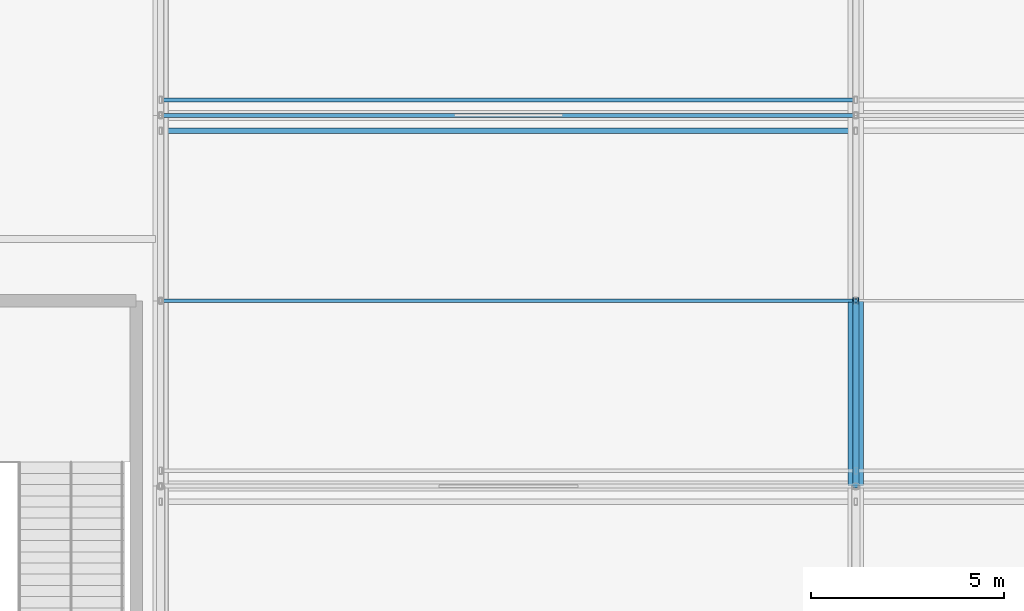
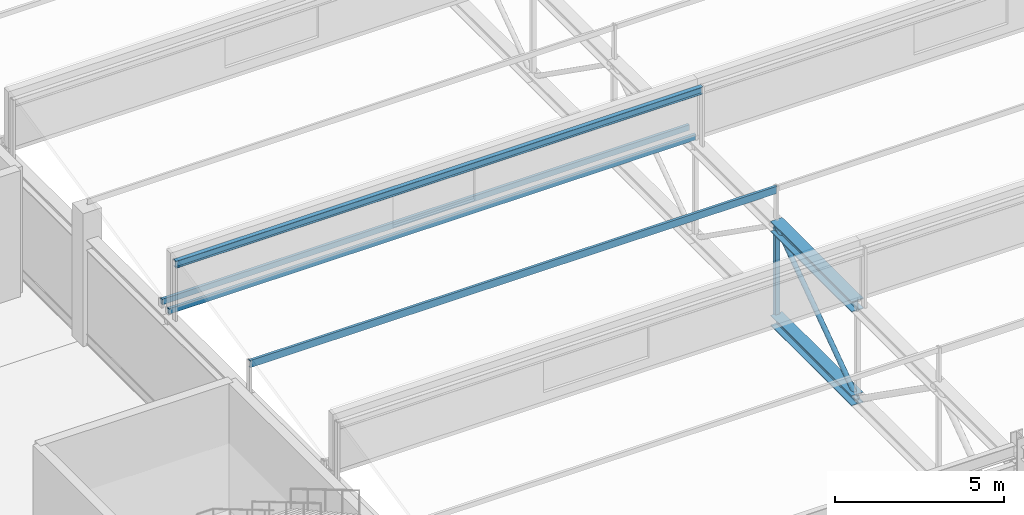
# One storey, part 18 of 136: 6 members, 2 beams.
"""IFC4 building model written with IfcOpenShell, lengths in metres."""

import ifcopenshell
import ifcopenshell.guid

model = None  # the IFC model being written
_history = None  # IfcOwnerHistory: only IFC2X3 demands one
_inside = {}  # id of a spatial element -> (the spatial element, [elements in it])
_under = {}  # id of a project, library or spatial element -> (it, [spatial elements below it])
_declared = {}  # id of a project -> (the project, [libraries it declares])
_typed = {}  # id of a type object -> (the type object, [elements of that type])
_made_of = {}  # id of a material, layer set ... -> (it, [elements and type objects made of it])


def new_model(schema):
    """Start an empty IFC model of exactly this schema.

    Asked for "IFC4X3", IfcOpenShell would pick the latest addendum, in which some entities
    have other attributes; the version numbers below select the first issue.
    IFC2X3 requires an IfcOwnerHistory on every rooted entity: one is made here for all.
    """
    global model, _history
    if schema == "IFC4X3":
        model = ifcopenshell.file(schema_version=(4, 3, 0, 0))
    else:
        model = ifcopenshell.file(schema=schema)
    _inside.clear()
    _under.clear()
    _declared.clear()
    _typed.clear()
    _made_of.clear()
    _history = None
    if model.schema == "IFC2X3":
        org = make("IfcOrganization", Name="unknown")
        user = make(
            "IfcPersonAndOrganization",
            ThePerson=make("IfcPerson", FamilyName="unknown"),
            TheOrganization=org,
        )
        app = make(
            "IfcApplication",
            ApplicationDeveloper=org,
            Version="unknown",
            ApplicationFullName="unknown",
            ApplicationIdentifier="unknown",
        )
        _history = make(
            "IfcOwnerHistory",
            OwningUser=user,
            OwningApplication=app,
            ChangeAction="ADDED",
            CreationDate=0,
        )
    return model


def make(cls, **values):
    """One entity of the class cls with the attributes given. An attribute that is None is left unset."""
    return model.create_entity(
        cls, **{name: value for name, value in values.items() if value is not None}
    )


def rooted(cls, **values):
    """An entity with a GlobalId (a new one), such as an element, a storey or a relation."""
    return make(cls, GlobalId=ifcopenshell.guid.new(), OwnerHistory=_history, **values)


def si_unit(unit_type, name, prefix=None):
    """IfcSIUnit, for example si_unit("LENGTHUNIT", "METRE", prefix="MILLI")."""
    return make("IfcSIUnit", UnitType=unit_type, Prefix=prefix, Name=name)


def assignment(units):
    """IfcUnitAssignment: the units of a project."""
    return None if units is None else make("IfcUnitAssignment", Units=units)


def point(xyz):
    """IfcCartesianPoint."""
    return None if xyz is None else make("IfcCartesianPoint", Coordinates=xyz)


def direction(xyz):
    """IfcDirection."""
    return None if xyz is None else make("IfcDirection", DirectionRatios=xyz)


def frame(location, z_axis=None, x_axis=None):
    """IfcAxis2Placement3D, a coordinate frame: its origin and axes. An axis left out is left unset."""
    return make(
        "IfcAxis2Placement3D",
        Location=point(location),
        Axis=direction(z_axis),
        RefDirection=direction(x_axis),
    )


def frame_2d(location, x_axis=None):
    """IfcAxis2Placement2D, a coordinate frame in the plane: its origin and x axis."""
    return make(
        "IfcAxis2Placement2D", Location=point(location), RefDirection=direction(x_axis)
    )


def origin():
    """The frame at (0, 0, 0) with its axes left unset."""
    return frame((0.0, 0.0, 0.0))


def origin_2d():
    """The frame at (0, 0) in the plane with its x axis left unset."""
    return frame_2d((0.0, 0.0))


def place(relative_to, where):
    """IfcLocalPlacement: puts the frame where relative to a parent placement (None: the world)."""
    return make(
        "IfcLocalPlacement", PlacementRelTo=relative_to, RelativePlacement=where
    )


def context(
    kind, dimensions, precision=None, world=None, true_north=None, identifier=None
):
    """IfcGeometricRepresentationContext, for example the 3D "Model" context."""
    return make(
        "IfcGeometricRepresentationContext",
        ContextIdentifier=identifier,
        ContextType=kind,
        CoordinateSpaceDimension=dimensions,
        Precision=precision,
        WorldCoordinateSystem=world,
        TrueNorth=true_north,
    )


def subcontext(parent, identifier, kind, view, scale=None):
    """IfcGeometricRepresentationSubContext, for example "Body" below "Model"."""
    return make(
        "IfcGeometricRepresentationSubContext",
        ContextIdentifier=identifier,
        ContextType=kind,
        ParentContext=parent,
        TargetScale=scale,
        TargetView=view,
    )


def project(units=None, contexts=None):
    """IfcProject with its units and contexts."""
    return rooted(
        "IfcProject",
        Name="project",
        RepresentationContexts=contexts,
        UnitsInContext=assignment(units),
    )


def spatial(cls, under=None, at=None, **own):
    """A site, building, storey or space (cls), placed at a placement, below another one or the project."""
    s = rooted(cls, ObjectPlacement=at, **own)
    if under is not None:
        _under.setdefault(under.id(), (under, []))[1].append(s)
    return s


def profile(cls, at=None, kind="AREA", **sizes):
    """A parametric profile (cls). Its sizes go by their IFC names, for example OverallWidth=200.0."""
    return make(cls, ProfileType=kind, Position=at, **sizes)


def hollow_rectangle(**sizes):
    """IfcRectangleHollowProfileDef."""
    return profile("IfcRectangleHollowProfileDef", **sizes)


def hollow_circle(**sizes):
    """IfcCircleHollowProfileDef."""
    return profile("IfcCircleHollowProfileDef", **sizes)


def i_section(**sizes):
    """IfcIShapeProfileDef."""
    return profile("IfcIShapeProfileDef", **sizes)


def u_section(**sizes):
    """IfcUShapeProfileDef."""
    return profile("IfcUShapeProfileDef", **sizes)


def extrude(swept, where, along, depth):
    """IfcExtrudedAreaSolid: the profile swept, set in the frame where, extruded along a direction by depth."""
    return make(
        "IfcExtrudedAreaSolid",
        SweptArea=swept,
        Position=where,
        ExtrudedDirection=direction(along),
        Depth=depth,
    )


def shape(context_of_items, identifier, shape_type, items):
    """IfcShapeRepresentation: the items that make up one representation, for example the "Body"."""
    return make(
        "IfcShapeRepresentation",
        ContextOfItems=context_of_items,
        RepresentationIdentifier=identifier,
        RepresentationType=shape_type,
        Items=items,
    )


def material(Name=None, Category=None):
    """IfcMaterial."""
    return make("IfcMaterial", Name=Name, Category=Category)


def material_profile(
    of_material, cross_section, Name=None, Category=None, Priority=None
):
    """IfcMaterialProfile: a cross section and its material."""
    return make(
        "IfcMaterialProfile",
        Name=Name,
        Material=of_material,
        Profile=cross_section,
        Priority=Priority,
        Category=Category,
    )


def profile_set(profiles, Name=None, composite=None):
    """IfcMaterialProfileSet."""
    return make(
        "IfcMaterialProfileSet",
        Name=Name,
        MaterialProfiles=profiles,
        CompositeProfile=composite,
    )


def made_of(thing, what):
    """Note that an element or type object is made of a material, layer set ...; save() writes the relation."""
    if what is not None:
        _made_of.setdefault(what.id(), (what, []))[1].append(thing)
    return thing


def type_object(cls, material=None, **own):
    """A type object (cls), such as IfcWallType, which elements share."""
    return made_of(rooted(cls, **own), material)


def element(
    cls,
    number,
    at=None,
    inside=None,
    cuts=None,
    type_object=None,
    material=None,
    context=None,
    identifier="Body",
    shape_type=None,
    held_by="IfcProductDefinitionShape",
    body=None,
    shapes=None,
    **own,
):
    """One element of the class cls, such as IfcWall. Its Tag is "e" and its number.

    at: its placement. inside: the storey or other place that contains it. cuts: it is an
    opening in that element (IfcRelVoidsElement). A single representation is given by context,
    identifier, shape_type and body (its items); several are given by shapes. held_by: the class
    of the entity that holds the representations. save() writes the other relations.
    """
    e = rooted(cls, Tag="e%d" % number, ObjectPlacement=at, **own)
    if body is not None:
        shapes = [shape(context, identifier, shape_type, body)]
    if shapes is not None:
        e.Representation = make(held_by, Representations=shapes)
    if inside is not None:
        _inside.setdefault(inside.id(), (inside, []))[1].append(e)
    if cuts is not None:
        rooted(
            "IfcRelVoidsElement", RelatingBuildingElement=cuts, RelatedOpeningElement=e
        )
    if type_object is not None:
        _typed.setdefault(type_object.id(), (type_object, []))[1].append(e)
    return made_of(e, material)


def aggregate(whole, parts):
    """IfcRelAggregates: a whole, such as a stair, and the parts it consists of."""
    return rooted("IfcRelAggregates", RelatingObject=whole, RelatedObjects=parts)


def save(model, path):
    """Write the relations noted so far, then the file.

    IfcRelAggregates (storeys below a building ...), IfcRelContainedInSpatialStructure (elements
    in a storey), IfcRelDefinesByType, IfcRelAssociatesMaterial and IfcRelDeclares: one each for
    every whole, place, type object, material and project.
    """
    for whole, parts in _under.values():
        aggregate(whole, parts)
    for where, things in _inside.values():
        rooted(
            "IfcRelContainedInSpatialStructure",
            RelatedElements=things,
            RelatingStructure=where,
        )
    for kind, things in _typed.values():
        rooted("IfcRelDefinesByType", RelatedObjects=things, RelatingType=kind)
    for what, things in _made_of.values():
        rooted("IfcRelAssociatesMaterial", RelatedObjects=things, RelatingMaterial=what)
    for by, libraries in _declared.values():
        rooted("IfcRelDeclares", RelatingContext=by, RelatedDefinitions=libraries)
    model.write(path)


model = new_model("IFC4")

# Units and contexts
model_context = context("Model", 3, precision=1e-05, world=origin(), true_north=direction((0.0, 1.0)))
body_context = subcontext(model_context, "Body", "Model", "MODEL_VIEW")
ifc_project = project(units=[si_unit("LENGTHUNIT", "METRE"), si_unit("AREAUNIT", "SQUARE_METRE"), si_unit("VOLUMEUNIT", "CUBIC_METRE"), si_unit("PLANEANGLEUNIT", "RADIAN"), si_unit("MASSUNIT", "GRAM", prefix="KILO")], contexts=[model_context])

# Site, building, storey
site_placement = place(None, origin())
site = spatial("IfcSite", under=ifc_project, at=site_placement, CompositionType="ELEMENT")
building_placement = place(site_placement, origin())
building = spatial("IfcBuilding", under=site, at=building_placement, Name="Kisiwana Market Hall", CompositionType="ELEMENT")
storey_placement = place(building_placement, frame((0.0, 0.0, 16.800048828125)))
storey = spatial("IfcBuildingStorey", under=building, at=storey_placement, Name="L03", CompositionType="ELEMENT", Elevation=16.800048828125)

# Beams
ifc_material_1 = material(Name="Steel S355", Category="steel")
ifc_material_profile_1 = material_profile(ifc_material_1, i_section(OverallWidth=0.394775390625, OverallDepth=0.381103515625, WebThickness=0.018310546875, FlangeThickness=0.0302734375, at=origin_2d()), Name="UC 356x406x235")
ifc_profile_set_1 = profile_set([ifc_material_profile_1], Name="Steel S355")
beam_type_1 = type_object("IfcBeamType", Name="BM-TRUSS-BOT", PredefinedType="USERDEFINED", material=ifc_profile_set_1)
beam_1_placement = place(storey_placement, frame((63.0, 45.60009765625, 0.22998046875), z_axis=(0.0, 1.0, 0.0), x_axis=(-1.0, 0.0, 0.0)))
element("IfcBeam", 1, at=beam_1_placement, inside=storey, type_object=beam_type_1, Name="TR-02 BC panel 3 B-1200", ObjectType="ROOF TRUSS", PredefinedType="USERDEFINED", context=body_context, shape_type="SweptSolid", body=[
    extrude(i_section(OverallWidth=0.394775390625, OverallDepth=0.381103515625, WebThickness=0.018310546875, FlangeThickness=0.0302734375, at=origin_2d()), origin(), (0.0, 0.0, 1.0), 4.7998046875),
])
ifc_material_2 = material(Name="Steel S355", Category="steel")
ifc_material_profile_2 = material_profile(ifc_material_2, i_section(OverallWidth=0.39892578125, OverallDepth=0.3935546875, WebThickness=0.022705078125, FlangeThickness=0.03662109375, at=origin_2d()), Name="UC 356x406x287")
ifc_profile_set_2 = profile_set([ifc_material_profile_2], Name="Steel S355")
beam_type_2 = type_object("IfcBeamType", Name="BM-TRUSS-TOP", PredefinedType="USERDEFINED", material=ifc_profile_set_2)
beam_2_placement = place(storey_placement, frame((63.0, 45.60009765625, 3.619873046875), z_axis=(0.0, 1.0, 0.0), x_axis=(-1.0, 0.0, 0.0)))
element("IfcBeam", 2, at=beam_2_placement, inside=storey, type_object=beam_type_2, Name="TR-02 TC panel 3 B-1210", ObjectType="ROOF TRUSS", PredefinedType="USERDEFINED", context=body_context, shape_type="SweptSolid", body=[
    extrude(i_section(OverallWidth=0.39892578125, OverallDepth=0.3935546875, WebThickness=0.022705078125, FlangeThickness=0.03662109375, at=origin_2d()), origin(), (0.0, 0.0, 1.0), 4.7998046875),
])

# Members
ifc_material_3 = material(Name="Steel S355", Category="steel")
ifc_material_profile_3 = material_profile(ifc_material_3, u_section(Depth=0.260009765625, FlangeWidth=0.090087890625, WebThickness=0.008056640625, FlangeThickness=0.013916015625, at=origin_2d()), Name="PFC 260x90x35")
ifc_profile_set_3 = profile_set([ifc_material_profile_3], Name="Steel S355")
member_type_1 = type_object("IfcMemberType", Name="MB-PURL-PFC260", PredefinedType="PURLIN", material=ifc_profile_set_3)
member_1_placement = place(storey_placement, frame((45.0, 50.39990234375, 4.90625), z_axis=(1.0, 0.0, 0.0), x_axis=(0.0, 1.0, 0.0)))
element("IfcMember", 3, at=member_1_placement, inside=storey, type_object=member_type_1, Name="Sawtooth mid-slope roof purlin 24 M-0098", PredefinedType="PURLIN", context=body_context, shape_type="SweptSolid", body=[
    extrude(u_section(Depth=0.260009765625, FlangeWidth=0.090087890625, WebThickness=0.008056640625, FlangeThickness=0.013916015625, at=origin_2d()), origin(), (0.0, 0.0, 1.0), 18.0),
])
ifc_material_4 = material(Name="Steel S355", Category="steel")
ifc_material_profile_4 = material_profile(ifc_material_4, hollow_rectangle(XDim=0.10009765625, YDim=0.199951171875, WallThickness=0.008056640625, at=origin_2d()), Name="RHS 200x100x8.0")
ifc_profile_set_4 = profile_set([ifc_material_profile_4], Name="Steel S355")
member_type_2 = type_object("IfcMemberType", Name="MB-ROOF-PURLIN1", PredefinedType="PURLIN", material=ifc_profile_set_4)
for number, where, z_axis, x_axis, name in (
    (4, (45.0, 55.199951171875, 3.90087890625), (1.0, 0.0, 0.0), (0.0, 1.0, 0.0), "Sawtooth roof purlin 224 M-0149"),
    (5, (45.0, 55.60009765625, 4.0009765625), (1.0, 0.0, 0.0), (0.0, 1.0, 0.0), "Sawtooth roof purlin 267 M-0168"),
):
    element("IfcMember", number, at=place(storey_placement, frame(where, z_axis=z_axis, x_axis=x_axis)), inside=storey, type_object=member_type_2, Name=name, PredefinedType="PURLIN", context=body_context, shape_type="SweptSolid", body=[
        extrude(hollow_rectangle(XDim=0.10009765625, YDim=0.199951171875, WallThickness=0.008056640625, at=origin_2d()), origin(), (0.0, 0.0, 1.0), 18.0),
    ])
ifc_material_5 = material(Name="Steel S355", Category="steel")
ifc_material_profile_5 = material_profile(ifc_material_5, i_section(OverallWidth=0.146484375, OverallDepth=0.256103515625, WebThickness=0.00634765625, FlangeThickness=0.010986328125, at=origin_2d()), Name="UB 254x146x37")
ifc_profile_set_5 = profile_set([ifc_material_profile_5], Name="Steel S355")
member_type_3 = type_object("IfcMemberType", Name="MB-ROOF-PURLIN2", PredefinedType="PURLIN", material=ifc_profile_set_5)
member_2_placement = place(storey_placement, frame((45.0, 54.800048828125, 5.843505859375), z_axis=(1.0, 0.0, 0.0), x_axis=(0.0, 1.0, 0.0)))
element("IfcMember", 6, at=member_2_placement, inside=storey, type_object=member_type_3, Name="Sawtooth roof purlin 223 M-0148", PredefinedType="PURLIN", context=body_context, shape_type="SweptSolid", body=[
    extrude(i_section(OverallWidth=0.146484375, OverallDepth=0.256103515625, WebThickness=0.00634765625, FlangeThickness=0.010986328125, at=origin_2d()), origin(), (0.0, 0.0, 1.0), 18.0),
])
ifc_material_6 = material(Name="Steel S355", Category="steel")
ifc_material_profile_6 = material_profile(ifc_material_6, hollow_circle(Radius=0.084228515625, WallThickness=0.010009765625, at=origin_2d()), Name="CHS 168.3x10.0")
ifc_profile_set_6 = profile_set([ifc_material_profile_6], Name="Steel S355")
member_type_4 = type_object("IfcMemberType", Name="MB-TR-DIAG168", PredefinedType="BRACE", material=ifc_profile_set_6)
member_3_placement = place(storey_placement, frame((63.0, 45.60009765625, 0.22998046875), z_axis=(0.0, 0.816823908826, 0.576887079046), x_axis=(-1.0, 0.0, 0.0)))
element("IfcMember", 7, at=member_3_placement, inside=storey, type_object=member_type_4, Name="TR-02 diagonal 3 M-0357", PredefinedType="BRACE", context=body_context, shape_type="SweptSolid", body=[
    extrude(hollow_circle(Radius=0.084228515625, WallThickness=0.010009765625, at=origin_2d()), origin(), (0.0, 0.0, 1.0), 5.876220703125),
])
ifc_material_7 = material(Name="Steel S355", Category="steel")
ifc_material_profile_7 = material_profile(ifc_material_7, hollow_rectangle(XDim=0.14990234375, YDim=0.14990234375, WallThickness=0.008056640625, at=origin_2d()), Name="SHS 150x150x8.0")
ifc_profile_set_7 = profile_set([ifc_material_profile_7], Name="Steel S355")
member_type_5 = type_object("IfcMemberType", Name="MB-TR-STRUT200", PredefinedType="STRUT", material=ifc_profile_set_7)
member_4_placement = place(storey_placement, frame((63.0, 50.39990234375, 0.22998046875), z_axis=(0.0, 0.0, 1.0), x_axis=(1.0, 0.0, 0.0)))
element("IfcMember", 8, at=member_4_placement, inside=storey, type_object=member_type_5, Name="TR-02 vertical strut 4 M-0367", PredefinedType="STRUT", context=body_context, shape_type="SweptSolid", body=[
    extrude(hollow_rectangle(XDim=0.14990234375, YDim=0.14990234375, WallThickness=0.008056640625, at=origin_2d()), origin(), (0.0, 0.0, 1.0), 3.389892578125),
])

save(model, "model.ifc")
